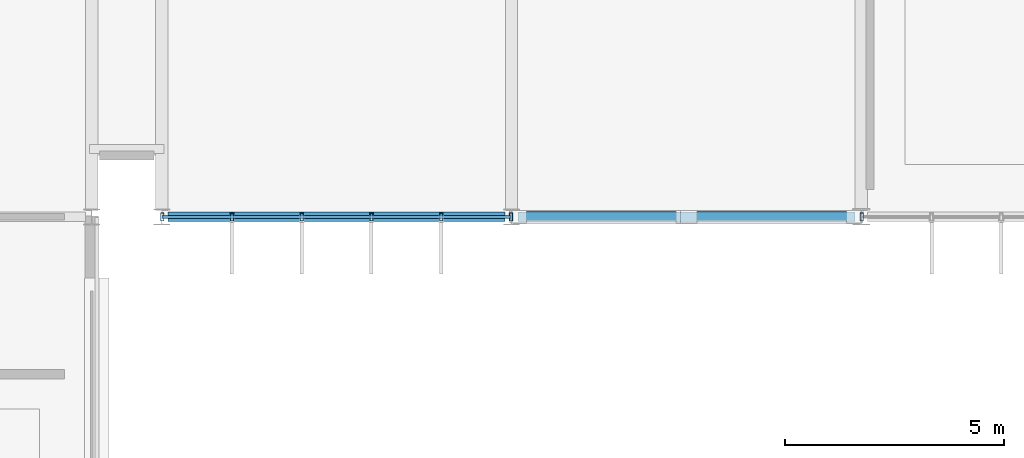
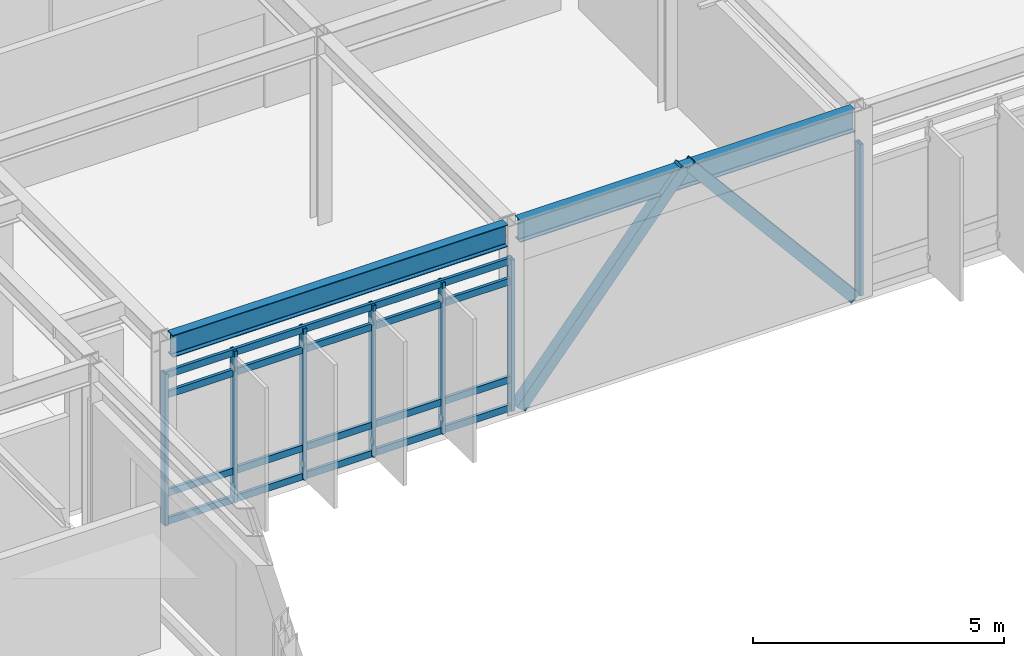
# One storey, part 36 of 100: 13 members, 2 beams, 2 elements without a shape of their own.
"""IFC4 building model written with IfcOpenShell, lengths in metres."""

from ifc_helpers import new_model, si_unit, direction, frame, origin, origin_2d, place, context, subcontext, project, spatial, hollow_rectangle, i_section, extrude, material, material_profile, profile_set, type_object, element, aggregate, save


model = new_model("IFC4")

# Units and contexts
model_context = context("Model", 3, precision=1e-05, world=origin(), true_north=direction((0.0, 1.0)))
body_context = subcontext(model_context, "Body", "Model", "MODEL_VIEW")
ifc_project = project(units=[si_unit("LENGTHUNIT", "METRE"), si_unit("AREAUNIT", "SQUARE_METRE"), si_unit("VOLUMEUNIT", "CUBIC_METRE"), si_unit("PLANEANGLEUNIT", "RADIAN"), si_unit("MASSUNIT", "GRAM", prefix="KILO")], contexts=[model_context])

# Site, building, storey
site_placement = place(None, origin())
site = spatial("IfcSite", under=ifc_project, at=site_placement, CompositionType="ELEMENT")
building_placement = place(site_placement, origin())
building = spatial("IfcBuilding", under=site, at=building_placement, Name="Zulena Civic Courthouse", CompositionType="ELEMENT")
storey_placement = place(building_placement, frame((0.0, 0.0, 20.39990234375)))
storey = spatial("IfcBuildingStorey", under=building, at=storey_placement, Name="L04", CompositionType="ELEMENT", Elevation=20.39990234375)

# Members
ifc_material_1 = material(Name="Steel ASTM A500 Grade C", Category="steel")
ifc_material_profile_1 = material_profile(ifc_material_1, hollow_rectangle(XDim=0.25390625, YDim=0.25390625, WallThickness=0.01171875, at=origin_2d()), Name="HSS10X10X1/2")
ifc_profile_set_1 = profile_set([ifc_material_profile_1], Name="Steel ASTM A500 Grade C")
member_type_1 = type_object("IfcMemberType", Name="Brace_HSS10", PredefinedType="BRACE", material=ifc_profile_set_1)
for number, where, z_axis, x_axis, name in (
    (1, (76.14990234375, 15.199951171875, 0.010009765625), (0.641014438311, 0.0, 0.767528820225), (0.0, 1.0, 0.0), "brace:V4:L04:4:0"),
    (2, (83.85009765625, 15.199951171875, 0.010009765625), (-0.641014438311, 0.0, 0.767528820225), (0.0, -1.0, 0.0), "brace:V4:L04:4:1"),
):
    element("IfcMember", number, at=place(storey_placement, frame(where, z_axis=z_axis, x_axis=x_axis)), inside=storey, type_object=member_type_1, Name=name, PredefinedType="BRACE", context=body_context, shape_type="SweptSolid", body=[
        extrude(hollow_rectangle(XDim=0.25390625, YDim=0.25390625, WallThickness=0.01171875, at=origin_2d()), origin(), (0.0, 0.0, 1.0), 5.92822265625),
    ])

# Curtain wall, member
ifc_material_2 = material(Name="Double-silver low-E laminated solar-control glass", Category="glass")
curtain_wall_type = type_object("IfcCurtainWallType", Name="CW_7976x3690", PredefinedType="USERDEFINED", material=ifc_material_2)
curtain_wall_1_placement = place(storey_placement, origin())
curtain_wall_1 = element("IfcCurtainWall", 3, at=curtain_wall_1_placement, inside=storey, type_object=curtain_wall_type, Name="cw:V4:L04:3:4", ObjectType="UNITISED CURTAIN WALL", PredefinedType="USERDEFINED")
ifc_material_3 = material(Name="Bronze anodised thermally broken aluminium AA6063-T6", Category="aluminium")
ifc_material_profile_2 = material_profile(ifc_material_3, hollow_rectangle(XDim=0.074951171875, YDim=0.179931640625, WallThickness=0.0048828125, at=origin_2d()), Name="CWM180X75X5")
ifc_profile_set_2 = profile_set([ifc_material_profile_2], Name="Bronze anodised thermally broken aluminium AA6063-T6")
member_type_2 = type_object("IfcMemberType", Name="CWMullion_180x75", PredefinedType="MULLION", material=ifc_profile_set_2)
member_1_placement = place(storey_placement, frame((84.011962890625, 15.199951171875, 0.0), z_axis=(0.0, 0.0, 1.0), x_axis=(1.0, 0.0, 0.0)))
member_1 = element("IfcMember", 4, at=member_1_placement, type_object=member_type_2, Name="cw:V4:L04:3:4:mull:5", PredefinedType="MULLION", context=body_context, shape_type="SweptSolid", body=[
    extrude(hollow_rectangle(XDim=0.074951171875, YDim=0.179931640625, WallThickness=0.0048828125, at=origin_2d()), origin(), (0.0, 0.0, 1.0), 3.690185546875),
])
aggregate(curtain_wall_1, [member_1])

# Curtain wall, members
curtain_wall_2_placement = place(storey_placement, origin())
curtain_wall_2 = element("IfcCurtainWall", 5, at=curtain_wall_2_placement, inside=storey, type_object=curtain_wall_type, Name="cw:V4:L04:3:6", ObjectType="UNITISED CURTAIN WALL", PredefinedType="USERDEFINED")
member_2_placement = place(storey_placement, frame((75.988037109375, 15.199951171875, 0.0), z_axis=(0.0, 0.0, 1.0), x_axis=(1.0, 0.0, 0.0)))
member_2 = element("IfcMember", 6, at=member_2_placement, type_object=member_type_2, Name="cw:V4:L04:3:6:mull:0", PredefinedType="MULLION", context=body_context, shape_type="SweptSolid", body=[
    extrude(hollow_rectangle(XDim=0.074951171875, YDim=0.179931640625, WallThickness=0.0048828125, at=origin_2d()), origin(), (0.0, 0.0, 1.0), 3.690185546875),
])
member_3_placement = place(storey_placement, frame((74.392822265625, 15.199951171875, 0.0), z_axis=(0.0, 0.0, 1.0), x_axis=(1.0, 0.0, 0.0)))
member_3 = element("IfcMember", 7, at=member_3_placement, type_object=member_type_2, Name="cw:V4:L04:3:6:mull:1", PredefinedType="MULLION", context=body_context, shape_type="SweptSolid", body=[
    extrude(hollow_rectangle(XDim=0.074951171875, YDim=0.179931640625, WallThickness=0.0048828125, at=origin_2d()), origin(), (0.0, 0.0, 1.0), 3.690185546875),
])
member_4_placement = place(storey_placement, frame((72.797607421875, 15.199951171875, 0.0), z_axis=(0.0, 0.0, 1.0), x_axis=(1.0, 0.0, 0.0)))
member_4 = element("IfcMember", 8, at=member_4_placement, type_object=member_type_2, Name="cw:V4:L04:3:6:mull:2", PredefinedType="MULLION", context=body_context, shape_type="SweptSolid", body=[
    extrude(hollow_rectangle(XDim=0.074951171875, YDim=0.179931640625, WallThickness=0.0048828125, at=origin_2d()), origin(), (0.0, 0.0, 1.0), 3.690185546875),
])
member_5_placement = place(storey_placement, frame((71.202392578125, 15.199951171875, 0.0), z_axis=(0.0, 0.0, 1.0), x_axis=(1.0, 0.0, 0.0)))
member_5 = element("IfcMember", 9, at=member_5_placement, type_object=member_type_2, Name="cw:V4:L04:3:6:mull:3", PredefinedType="MULLION", context=body_context, shape_type="SweptSolid", body=[
    extrude(hollow_rectangle(XDim=0.074951171875, YDim=0.179931640625, WallThickness=0.0048828125, at=origin_2d()), origin(), (0.0, 0.0, 1.0), 3.690185546875),
])
member_6_placement = place(storey_placement, frame((69.607177734375, 15.199951171875, 0.0), z_axis=(0.0, 0.0, 1.0), x_axis=(1.0, 0.0, 0.0)))
member_6 = element("IfcMember", 10, at=member_6_placement, type_object=member_type_2, Name="cw:V4:L04:3:6:mull:4", PredefinedType="MULLION", context=body_context, shape_type="SweptSolid", body=[
    extrude(hollow_rectangle(XDim=0.074951171875, YDim=0.179931640625, WallThickness=0.0048828125, at=origin_2d()), origin(), (0.0, 0.0, 1.0), 3.690185546875),
])
member_7_placement = place(storey_placement, frame((68.011962890625, 15.199951171875, 0.0), z_axis=(0.0, 0.0, 1.0), x_axis=(1.0, 0.0, 0.0)))
member_7 = element("IfcMember", 11, at=member_7_placement, type_object=member_type_2, Name="cw:V4:L04:3:6:mull:5", PredefinedType="MULLION", context=body_context, shape_type="SweptSolid", body=[
    extrude(hollow_rectangle(XDim=0.074951171875, YDim=0.179931640625, WallThickness=0.0048828125, at=origin_2d()), origin(), (0.0, 0.0, 1.0), 3.690185546875),
])
ifc_material_profile_3 = material_profile(ifc_material_3, hollow_rectangle(XDim=0.070068359375, YDim=0.1650390625, WallThickness=0.00390625, at=origin_2d()), Name="CWT165X70X4")
ifc_profile_set_3 = profile_set([ifc_material_profile_3], Name="Bronze anodised thermally broken aluminium AA6063-T6")
member_type_3 = type_object("IfcMemberType", Name="CWTransom_165x70", PredefinedType="USERDEFINED", material=ifc_profile_set_3)
member_8_placement = place(storey_placement, frame((75.988037109375, 15.199951171875, 0.06005859375), z_axis=(-1.0, 0.0, 0.0), x_axis=(0.0, -1.0, 0.0)))
member_8 = element("IfcMember", 12, at=member_8_placement, type_object=member_type_3, Name="cw:V4:L04:3:6:tran:0", ObjectType="TRANSOM", PredefinedType="USERDEFINED", context=body_context, shape_type="SweptSolid", body=[
    extrude(hollow_rectangle(XDim=0.070068359375, YDim=0.1650390625, WallThickness=0.00390625, at=origin_2d()), origin(), (0.0, 0.0, 1.0), 7.97607421875),
])
member_9_placement = place(storey_placement, frame((75.988037109375, 15.199951171875, 0.75), z_axis=(-1.0, 0.0, 0.0), x_axis=(0.0, -1.0, 0.0)))
member_9 = element("IfcMember", 13, at=member_9_placement, type_object=member_type_3, Name="cw:V4:L04:3:6:tran:1", ObjectType="TRANSOM", PredefinedType="USERDEFINED", context=body_context, shape_type="SweptSolid", body=[
    extrude(hollow_rectangle(XDim=0.070068359375, YDim=0.1650390625, WallThickness=0.00390625, at=origin_2d()), origin(), (0.0, 0.0, 1.0), 7.97607421875),
])
member_10_placement = place(storey_placement, frame((75.988037109375, 15.199951171875, 3.14013671875), z_axis=(-1.0, 0.0, 0.0), x_axis=(0.0, -1.0, 0.0)))
member_10 = element("IfcMember", 14, at=member_10_placement, type_object=member_type_3, Name="cw:V4:L04:3:6:tran:2", ObjectType="TRANSOM", PredefinedType="USERDEFINED", context=body_context, shape_type="SweptSolid", body=[
    extrude(hollow_rectangle(XDim=0.070068359375, YDim=0.1650390625, WallThickness=0.00390625, at=origin_2d()), origin(), (0.0, 0.0, 1.0), 7.97607421875),
])
member_11_placement = place(storey_placement, frame((75.988037109375, 15.199951171875, 3.630126953125), z_axis=(-1.0, 0.0, 0.0), x_axis=(0.0, -1.0, 0.0)))
member_11 = element("IfcMember", 15, at=member_11_placement, type_object=member_type_3, Name="cw:V4:L04:3:6:tran:3", ObjectType="TRANSOM", PredefinedType="USERDEFINED", context=body_context, shape_type="SweptSolid", body=[
    extrude(hollow_rectangle(XDim=0.070068359375, YDim=0.1650390625, WallThickness=0.00390625, at=origin_2d()), origin(), (0.0, 0.0, 1.0), 7.97607421875),
])
aggregate(curtain_wall_2, [member_2, member_3, member_4, member_5, member_6, member_7, member_8, member_9, member_10, member_11])

# Beams
ifc_material_4 = material(Name="Steel ASTM A992 Grade 50", Category="steel")
ifc_material_profile_4 = material_profile(ifc_material_4, i_section(OverallWidth=0.2099609375, OverallDepth=0.537109375, WebThickness=0.010986328125, FlangeThickness=0.017333984375, FilletRadius=0.0126953125, at=origin_2d()), Name="W21X68")
ifc_profile_set_4 = profile_set([ifc_material_profile_4], Name="Steel ASTM A992 Grade 50")
beam_type = type_object("IfcBeamType", Name="Spandrel_W21X68", PredefinedType="SPANDREL", material=ifc_profile_set_4)
for number, where, z_axis, x_axis, name in (
    (16, (68.14501953125, 15.199951171875, 4.32666015625), (1.0, 0.0, 0.0), (0.0, 1.0, 0.0), "beam:X:V4:L04:15.2:68.0_76.0"),
    (17, (76.14501953125, 15.199951171875, 4.32666015625), (1.0, 0.0, 0.0), (0.0, 1.0, 0.0), "beam:X:V4:L04:15.2:76.0_84.0"),
):
    element("IfcBeam", number, at=place(storey_placement, frame(where, z_axis=z_axis, x_axis=x_axis)), inside=storey, type_object=beam_type, Name=name, PredefinedType="SPANDREL", context=body_context, shape_type="SweptSolid", body=[
        extrude(i_section(OverallWidth=0.2099609375, OverallDepth=0.537109375, WebThickness=0.010986328125, FlangeThickness=0.017333984375, FilletRadius=0.0126953125, at=origin_2d()), origin(), (0.0, 0.0, 1.0), 7.7099609375),
    ])

save(model, "model.ifc")
